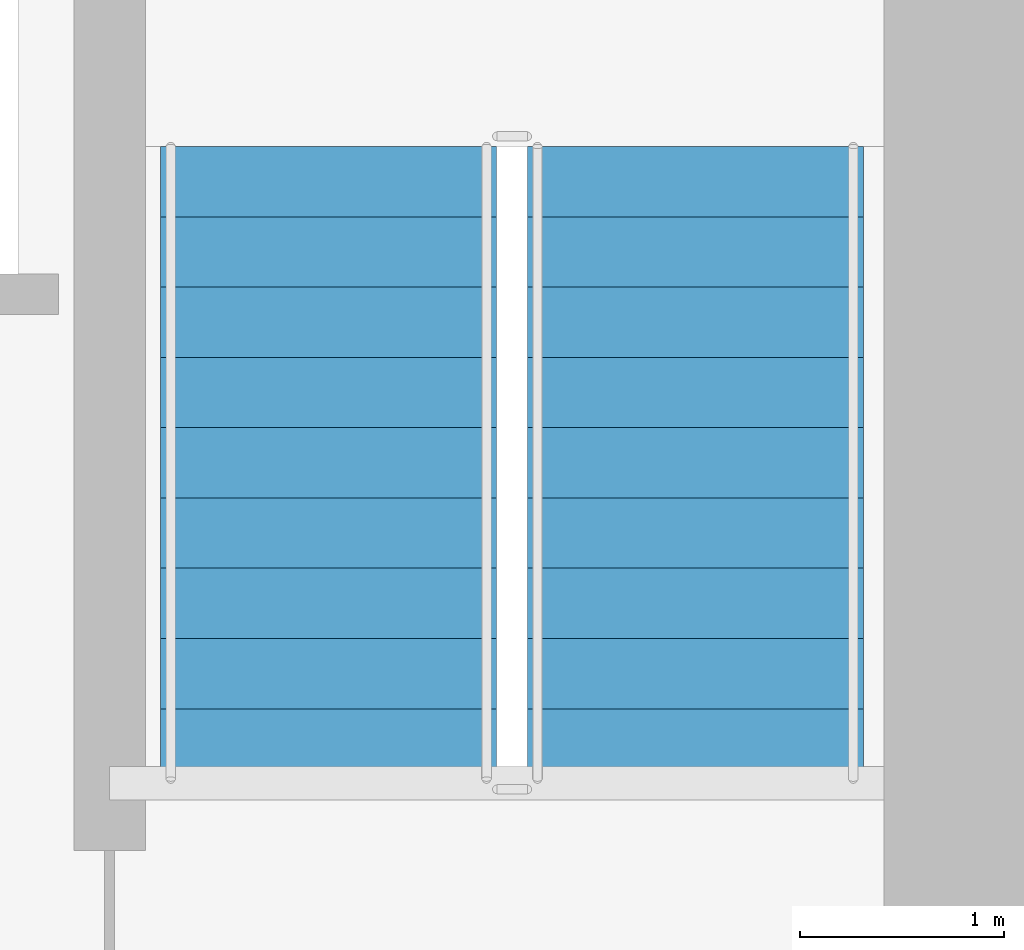
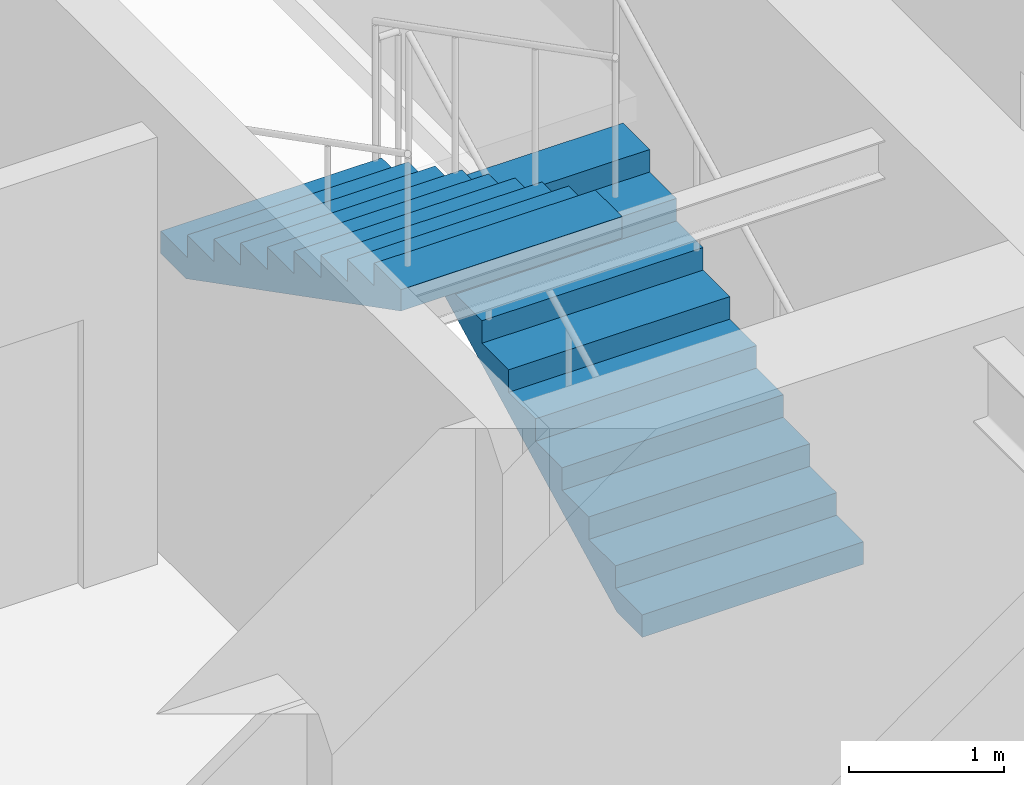
# One storey, part 23 of 24: 2 stair flights, 1 element without a shape of its own.
"""IFC4 building model written with IfcOpenShell, lengths in metres."""

from ifc_helpers import new_model, si_unit, direction, frame, origin, place, context, subcontext, project, spatial, polyline, outline, extrude, material, type_object, element, aggregate, save


model = new_model("IFC4")

# Units and contexts
model_context = context("Model", 3, precision=1e-05, world=origin(), true_north=direction((0.0, 1.0)))
body_context = subcontext(model_context, "Body", "Model", "MODEL_VIEW")
ifc_project = project(units=[si_unit("LENGTHUNIT", "METRE"), si_unit("AREAUNIT", "SQUARE_METRE"), si_unit("VOLUMEUNIT", "CUBIC_METRE"), si_unit("PLANEANGLEUNIT", "RADIAN"), si_unit("MASSUNIT", "GRAM", prefix="KILO")], contexts=[model_context])

# Site, building, storey
site_placement = place(None, origin())
site = spatial("IfcSite", under=ifc_project, at=site_placement, CompositionType="ELEMENT")
building_placement = place(site_placement, origin())
building = spatial("IfcBuilding", under=site, at=building_placement, Name="Tolvann Quenvar Hotel", CompositionType="ELEMENT")
storey_placement = place(building_placement, frame((0.0, 0.0, 194.64990234375)))
storey = spatial("IfcBuildingStorey", under=building, at=storey_placement, Name="L51", CompositionType="ELEMENT", Elevation=194.64990234375)

# Stair, stair flights
ifc_material = material(Name="Concrete N40 (40 MPa)", Category="concrete")
stair_type = type_object("IfcStairType", Name="STAIR", PredefinedType="HALF_TURN_STAIR", material=ifc_material)
stair_placement = place(storey_placement, origin())
stair = element("IfcStair", 1, at=stair_placement, inside=storey, type_object=stair_type, Name="L51 ST-C2", PredefinedType="HALF_TURN_STAIR")
stair_flight_type = type_object("IfcStairFlightType", Name="STAIR_FLIGHT", PredefinedType="STRAIGHT", material=ifc_material)
stair_flight_1_placement = place(storey_placement, frame((34.574951171875, 34.0, 0.0), z_axis=(0.0, 0.0, 1.0), x_axis=(0.0, 1.0, 0.0)))
stair_flight_1 = element("IfcStairFlight", 2, at=stair_flight_1_placement, type_object=stair_flight_type, Name="ST-C2 flight 1", NumberOfRisers=10, NumberOfTreads=9, PredefinedType="STRAIGHT", RiserHeight=0.1775, TreadLength=0.345, context=body_context, shape_type="SweptSolid", body=[
    extrude(outline(polyline([(0.0, 0.0), (0.0, 0.177490234375), (0.344970703125, 0.177490234375), (0.344970703125, 0.35498046875), (0.68994140625, 0.35498046875), (0.68994140625, 0.532470703125), (1.034912109375, 0.532470703125), (1.034912109375, 0.7099609375), (1.3798828125, 0.7099609375), (1.3798828125, 0.887451171875), (1.72509765625, 0.887451171875), (1.72509765625, 1.06494140625), (2.070068359375, 1.06494140625), (2.070068359375, 1.242431640625), (2.4150390625, 1.242431640625), (2.4150390625, 1.419921875), (2.760009765625, 1.419921875), (2.760009765625, 1.597412109375), (3.10498046875, 1.597412109375), (3.10498046875, 1.77490234375), (3.10498046875, 1.428955078125), (0.32763671875, 0.0), (0.0, 0.0)])), frame((0.0, 0.824951171875, 0.0), z_axis=(0.0, -1.0, 0.0), x_axis=(1.0, 0.0, 0.0)), (0.0, 0.0, 1.0), 1.64990234375),
])
stair_flight_2_placement = place(storey_placement, frame((32.77490234375, 37.10498046875, 1.775146484375), z_axis=(0.0, 0.0, 1.0), x_axis=(0.0, -1.0, 0.0)))
stair_flight_2 = element("IfcStairFlight", 3, at=stair_flight_2_placement, type_object=stair_flight_type, Name="ST-C2 flight 2", NumberOfRisers=10, NumberOfTreads=9, PredefinedType="STRAIGHT", RiserHeight=0.1775, TreadLength=0.345, context=body_context, shape_type="SweptSolid", body=[
    extrude(outline(polyline([(0.0, 0.0), (0.0, 0.177490234375), (0.344970703125, 0.177490234375), (0.344970703125, 0.35498046875), (0.68994140625, 0.35498046875), (0.68994140625, 0.532470703125), (1.034912109375, 0.532470703125), (1.034912109375, 0.7099609375), (1.3798828125, 0.7099609375), (1.3798828125, 0.887451171875), (1.72509765625, 0.887451171875), (1.72509765625, 1.06494140625), (2.070068359375, 1.06494140625), (2.070068359375, 1.242431640625), (2.4150390625, 1.242431640625), (2.4150390625, 1.419921875), (2.760009765625, 1.419921875), (2.760009765625, 1.597412109375), (3.10498046875, 1.597412109375), (3.10498046875, 1.77490234375), (3.10498046875, 1.428955078125), (0.32763671875, 0.0), (0.0, 0.0)])), frame((0.0, 0.824951171875, 0.0), z_axis=(0.0, -1.0, 0.0), x_axis=(1.0, 0.0, 0.0)), (0.0, 0.0, 1.0), 1.64990234375),
])
aggregate(stair, [stair_flight_1, stair_flight_2])

save(model, "model.ifc")
